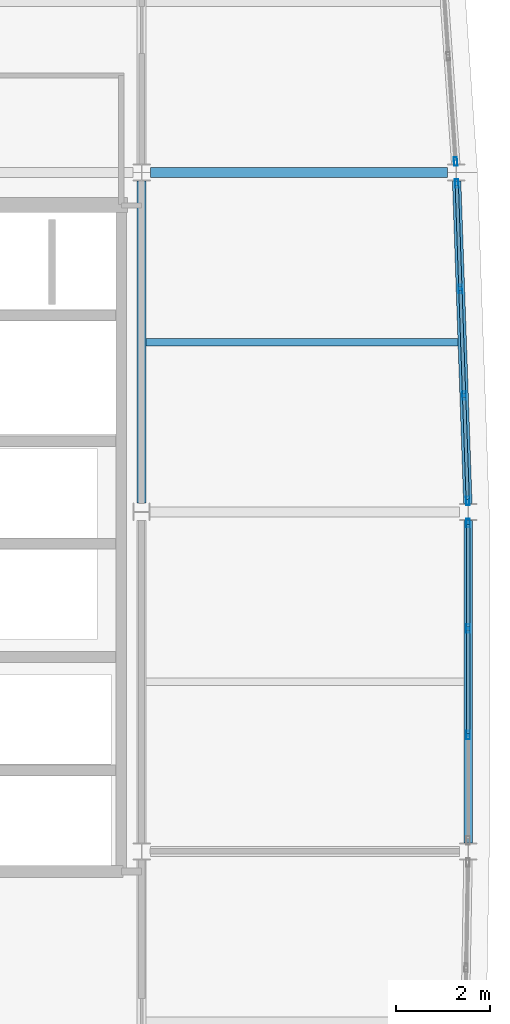
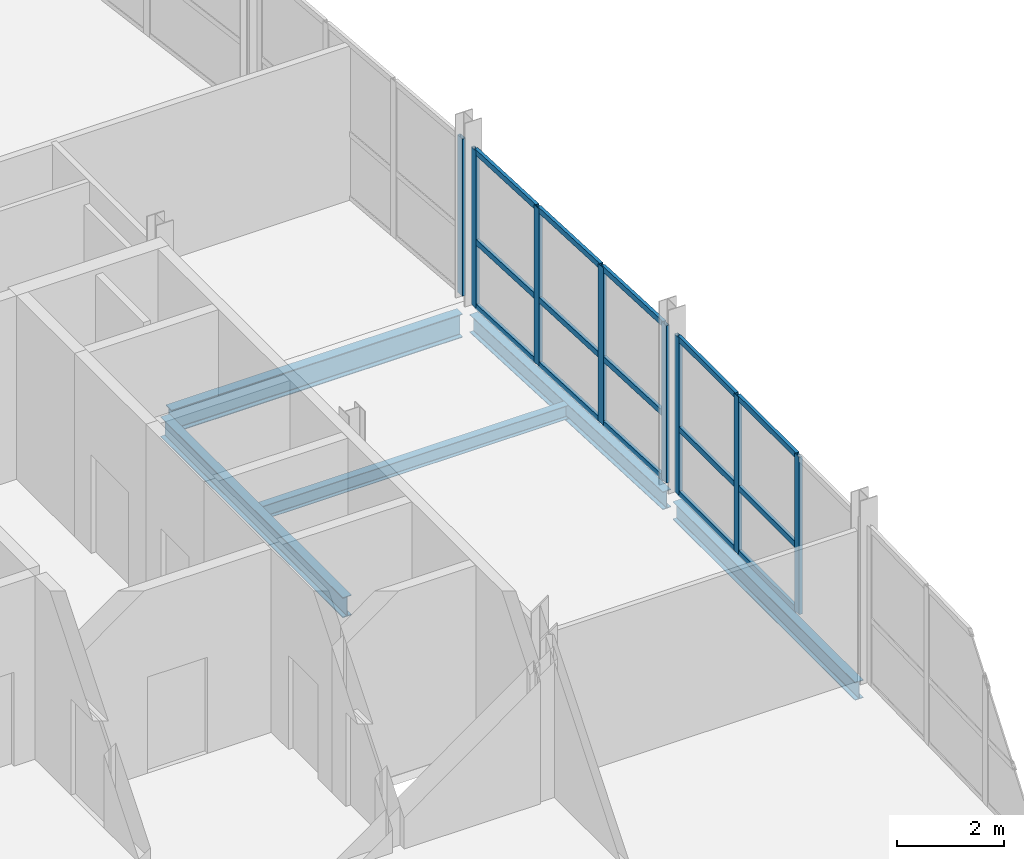
# One storey, part 4 of 16: 23 members, 5 beams, 3 elements without a shape of their own.
"""IFC4 building model written with IfcOpenShell, lengths in metres."""

from ifc_helpers import new_model, si_unit, direction, frame, origin, origin_2d, place, context, subcontext, project, spatial, hollow_rectangle, i_section, extrude, material, layer, layer_set, material_profile, profile_set, type_object, element, aggregate, save


model = new_model("IFC4")

# Units and contexts
model_context = context("Model", 3, precision=1e-05, world=origin(), true_north=direction((0.0, 1.0)))
body_context = subcontext(model_context, "Body", "Model", "MODEL_VIEW")
ifc_project = project(units=[si_unit("LENGTHUNIT", "METRE"), si_unit("AREAUNIT", "SQUARE_METRE"), si_unit("VOLUMEUNIT", "CUBIC_METRE"), si_unit("PLANEANGLEUNIT", "RADIAN"), si_unit("MASSUNIT", "GRAM", prefix="KILO")], contexts=[model_context])

# Site, building, storey
site_placement = place(None, origin())
site = spatial("IfcSite", under=ifc_project, at=site_placement, CompositionType="ELEMENT")
building_placement = place(site_placement, origin())
building = spatial("IfcBuilding", under=site, at=building_placement, Name="Quillay Park Conservatory", CompositionType="ELEMENT")
storey_placement = place(building_placement, frame((0.0, 0.0, 39.300048828125)))
storey = spatial("IfcBuildingStorey", under=building, at=storey_placement, Name="L09", CompositionType="ELEMENT", Elevation=39.300048828125)

# Beam
ifc_material_1 = material(Name="Steel ASTM A992 Grade 50", Category="steel")
ifc_material_profile_1 = material_profile(ifc_material_1, i_section(OverallWidth=0.166015625, OverallDepth=0.31298828125, WebThickness=0.006591796875, FlangeThickness=0.01123046875, FilletRadius=0.010009765625, at=origin_2d()), Name="W310x45")
ifc_profile_set_1 = profile_set([ifc_material_profile_1], Name="Steel ASTM A992 Grade 50")
beam_type_1 = type_object("IfcBeamType", Name="COMPOSITE FLOOR JOIST W310 X45", PredefinedType="JOIST", material=ifc_profile_set_1)
beam_1_placement = place(storey_placement, frame((19.845947265625, 96.0, -0.3564453125), z_axis=(1.0, 0.0, 0.0), x_axis=(0.0, 1.0, 0.0)))
element("IfcBeam", 1, at=beam_1_placement, inside=storey, type_object=beam_type_1, Name="L09 beam BM-J-0695", PredefinedType="JOIST", context=body_context, shape_type="SweptSolid", body=[
    extrude(i_section(OverallWidth=0.166015625, OverallDepth=0.31298828125, WebThickness=0.006591796875, FlangeThickness=0.01123046875, FilletRadius=0.010009765625, at=origin_2d()), origin(), (0.0, 0.0, 1.0), 6.614013671875),
])

# Curtain wall, members
ifc_material_2 = material(Name="Thermally Broken Anodised Aluminium 6063-T6", Category="aluminium")
ifc_layer = layer(ifc_material_2, 0.179931640625)
ifc_layer_set = layer_set([ifc_layer], Name="UNITISED CURTAIN WALL TOWER (Thermally Broken Anodised Aluminium 6063-T6)")
curtain_wall_type = type_object("IfcCurtainWallType", Name="UNITISED CURTAIN WALL TOWER", PredefinedType="USERDEFINED", material=ifc_layer_set)
curtain_wall_1_placement = place(storey_placement, origin())
curtain_wall_1 = element("IfcCurtainWall", 2, at=curtain_wall_1_placement, inside=storey, type_object=curtain_wall_type, Name="L09 Unitised Curtain Wall 089", ObjectType="UNITISED CURTAIN WALL", PredefinedType="USERDEFINED")
ifc_material_3 = material(Name="Thermally Broken Anodised Aluminium 6063-T6", Category="aluminium")
ifc_material_profile_2 = material_profile(ifc_material_3, hollow_rectangle(XDim=0.070068359375, YDim=0.179931640625, WallThickness=0.00390625, at=origin_2d()), Name="AL70x180x4")
ifc_profile_set_2 = profile_set([ifc_material_profile_2], Name="Thermally Broken Anodised Aluminium 6063-T6")
member_type_1 = type_object("IfcMemberType", Name="CURTAIN WALL MULLION 70 X180", PredefinedType="MULLION", material=ifc_profile_set_2)
member_1_placement = place(storey_placement, frame((26.675048828125, 92.1650390625, 0.0), z_axis=(0.0, 0.0, 1.0), x_axis=(1.0, 0.0, 0.0)))
member_1 = element("IfcMember", 3, at=member_1_placement, type_object=member_type_1, Name="CW-T1 mullion 1", PredefinedType="MULLION", context=body_context, shape_type="SweptSolid", body=[
    extrude(hollow_rectangle(XDim=0.070068359375, YDim=0.179931640625, WallThickness=0.00390625, at=origin_2d()), origin(), (0.0, 0.0, 1.0), 3.598876953125),
])
member_2_placement = place(storey_placement, frame((26.675048828125, 89.933349609375, 0.0), z_axis=(0.0, 0.0, 1.0), x_axis=(1.0, 0.0, 0.0)))
member_2 = element("IfcMember", 4, at=member_2_placement, type_object=member_type_1, Name="CW-T1 mullion 2", PredefinedType="MULLION", context=body_context, shape_type="SweptSolid", body=[
    extrude(hollow_rectangle(XDim=0.070068359375, YDim=0.179931640625, WallThickness=0.00390625, at=origin_2d()), origin(), (0.0, 0.0, 1.0), 3.598876953125),
])
member_3_placement = place(storey_placement, frame((26.675048828125, 87.666748046875, 0.0), z_axis=(0.0, 0.0, 1.0), x_axis=(1.0, 0.0, 0.0)))
member_3 = element("IfcMember", 5, at=member_3_placement, type_object=member_type_1, Name="CW-T1 mullion 3", PredefinedType="MULLION", context=body_context, shape_type="SweptSolid", body=[
    extrude(hollow_rectangle(XDim=0.070068359375, YDim=0.179931640625, WallThickness=0.00390625, at=origin_2d()), origin(), (0.0, 0.0, 1.0), 3.598876953125),
])

curtain_wall_2_placement = place(storey_placement, origin())
curtain_wall_2 = element("IfcCurtainWall", 6, at=curtain_wall_2_placement, inside=storey, type_object=curtain_wall_type, Name="L09 Unitised Curtain Wall 090", ObjectType="UNITISED CURTAIN WALL", PredefinedType="USERDEFINED")
member_4_placement = place(storey_placement, frame((26.43310546875, 99.365234375, 0.0), z_axis=(0.0, 0.0, 1.0), x_axis=(0.999397310446, 0.034713338537, 0.0)))
member_4 = element("IfcMember", 7, at=member_4_placement, type_object=member_type_1, Name="CW-T1 mullion 1", PredefinedType="MULLION", context=body_context, shape_type="SweptSolid", body=[
    extrude(hollow_rectangle(XDim=0.070068359375, YDim=0.179931640625, WallThickness=0.00390625, at=origin_2d()), origin(), (0.0, 0.0, 1.0), 3.598876953125),
])
member_5_placement = place(storey_placement, frame((26.5107421875, 97.13330078125, 0.0), z_axis=(0.0, 0.0, 1.0), x_axis=(0.999397310446, 0.034713338537, 0.0)))
member_5 = element("IfcMember", 8, at=member_5_placement, type_object=member_type_1, Name="CW-T1 mullion 2", PredefinedType="MULLION", context=body_context, shape_type="SweptSolid", body=[
    extrude(hollow_rectangle(XDim=0.070068359375, YDim=0.179931640625, WallThickness=0.00390625, at=origin_2d()), origin(), (0.0, 0.0, 1.0), 3.598876953125),
])
member_6_placement = place(storey_placement, frame((26.58935546875, 94.86669921875, 0.0), z_axis=(0.0, 0.0, 1.0), x_axis=(0.999397310446, 0.034713338537, 0.0)))
member_6 = element("IfcMember", 9, at=member_6_placement, type_object=member_type_1, Name="CW-T1 mullion 3", PredefinedType="MULLION", context=body_context, shape_type="SweptSolid", body=[
    extrude(hollow_rectangle(XDim=0.070068359375, YDim=0.179931640625, WallThickness=0.00390625, at=origin_2d()), origin(), (0.0, 0.0, 1.0), 3.598876953125),
])
member_7_placement = place(storey_placement, frame((26.6669921875, 92.634765625, 0.0), z_axis=(0.0, 0.0, 1.0), x_axis=(0.999397310446, 0.034713338537, 0.0)))
member_7 = element("IfcMember", 10, at=member_7_placement, type_object=member_type_1, Name="CW-T1 mullion 4", PredefinedType="MULLION", context=body_context, shape_type="SweptSolid", body=[
    extrude(hollow_rectangle(XDim=0.070068359375, YDim=0.179931640625, WallThickness=0.00390625, at=origin_2d()), origin(), (0.0, 0.0, 1.0), 3.598876953125),
])

# Curtain wall, member
curtain_wall_3_placement = place(storey_placement, origin())
curtain_wall_3 = element("IfcCurtainWall", 11, at=curtain_wall_3_placement, inside=storey, type_object=curtain_wall_type, Name="L09 Unitised Curtain Wall 091", ObjectType="UNITISED CURTAIN WALL", PredefinedType="USERDEFINED")
member_8_placement = place(storey_placement, frame((26.40869140625, 99.83447265625, 0.0), z_axis=(0.0, 0.0, 1.0), x_axis=(0.99759835015, 0.069264217159, 0.0)))
member_8 = element("IfcMember", 12, at=member_8_placement, type_object=member_type_1, Name="CW-T1 mullion 4", PredefinedType="MULLION", context=body_context, shape_type="SweptSolid", body=[
    extrude(hollow_rectangle(XDim=0.070068359375, YDim=0.179931640625, WallThickness=0.00390625, at=origin_2d()), origin(), (0.0, 0.0, 1.0), 3.598876953125),
])
aggregate(curtain_wall_3, [member_8])

# Member
ifc_material_4 = material(Name="Thermally Broken Anodised Aluminium 6063-T6", Category="aluminium")
ifc_material_profile_3 = material_profile(ifc_material_4, hollow_rectangle(XDim=0.070068359375, YDim=0.1298828125, WallThickness=0.003173828125, at=origin_2d()), Name="AL70x130x3.2")
ifc_profile_set_3 = profile_set([ifc_material_profile_3], Name="Thermally Broken Anodised Aluminium 6063-T6")
member_type_2 = type_object("IfcMemberType", Name="CURTAIN WALL TRANSOM 70 X130", PredefinedType="USERDEFINED", material=ifc_profile_set_3)
member_9_placement = place(storey_placement, frame((26.675048828125, 92.1298828125, 0.034912109375), z_axis=(0.0, -1.0, 0.0), x_axis=(1.0, 0.0, 0.0)))
member_9 = element("IfcMember", 13, at=member_9_placement, type_object=member_type_2, Name="CW-T1 transom 1.1", ObjectType="TRANSOM", PredefinedType="USERDEFINED", context=body_context, shape_type="SweptSolid", body=[
    extrude(hollow_rectangle(XDim=0.070068359375, YDim=0.1298828125, WallThickness=0.003173828125, at=origin_2d()), origin(), (0.0, 0.0, 1.0), 2.16162109375),
])

member_10_placement = place(storey_placement, frame((26.675048828125, 92.1298828125, 1.511474609375), z_axis=(0.0, -1.0, 0.0), x_axis=(1.0, 0.0, 0.0)))
member_10 = element("IfcMember", 14, at=member_10_placement, type_object=member_type_2, Name="CW-T1 transom 1.2", ObjectType="TRANSOM", PredefinedType="USERDEFINED", context=body_context, shape_type="SweptSolid", body=[
    extrude(hollow_rectangle(XDim=0.070068359375, YDim=0.1298828125, WallThickness=0.003173828125, at=origin_2d()), origin(), (0.0, 0.0, 1.0), 2.16162109375),
])

member_11_placement = place(storey_placement, frame((26.675048828125, 92.1298828125, 3.56396484375), z_axis=(0.0, -1.0, 0.0), x_axis=(1.0, 0.0, 0.0)))
member_11 = element("IfcMember", 15, at=member_11_placement, type_object=member_type_2, Name="CW-T1 transom 1.3", ObjectType="TRANSOM", PredefinedType="USERDEFINED", context=body_context, shape_type="SweptSolid", body=[
    extrude(hollow_rectangle(XDim=0.070068359375, YDim=0.1298828125, WallThickness=0.003173828125, at=origin_2d()), origin(), (0.0, 0.0, 1.0), 2.16162109375),
])

member_12_placement = place(storey_placement, frame((26.675048828125, 89.8984375, 0.034912109375), z_axis=(0.0, -1.0, 0.0), x_axis=(1.0, 0.0, 0.0)))
member_12 = element("IfcMember", 16, at=member_12_placement, type_object=member_type_2, Name="CW-T1 transom 2.1", ObjectType="TRANSOM", PredefinedType="USERDEFINED", context=body_context, shape_type="SweptSolid", body=[
    extrude(hollow_rectangle(XDim=0.070068359375, YDim=0.1298828125, WallThickness=0.003173828125, at=origin_2d()), origin(), (0.0, 0.0, 1.0), 2.19677734375),
])

member_13_placement = place(storey_placement, frame((26.675048828125, 89.8984375, 1.511474609375), z_axis=(0.0, -1.0, 0.0), x_axis=(1.0, 0.0, 0.0)))
member_13 = element("IfcMember", 17, at=member_13_placement, type_object=member_type_2, Name="CW-T1 transom 2.2", ObjectType="TRANSOM", PredefinedType="USERDEFINED", context=body_context, shape_type="SweptSolid", body=[
    extrude(hollow_rectangle(XDim=0.070068359375, YDim=0.1298828125, WallThickness=0.003173828125, at=origin_2d()), origin(), (0.0, 0.0, 1.0), 2.19677734375),
])

member_14_placement = place(storey_placement, frame((26.675048828125, 89.8984375, 3.56396484375), z_axis=(0.0, -1.0, 0.0), x_axis=(1.0, 0.0, 0.0)))
member_14 = element("IfcMember", 18, at=member_14_placement, type_object=member_type_2, Name="CW-T1 transom 2.3", ObjectType="TRANSOM", PredefinedType="USERDEFINED", context=body_context, shape_type="SweptSolid", body=[
    extrude(hollow_rectangle(XDim=0.070068359375, YDim=0.1298828125, WallThickness=0.003173828125, at=origin_2d()), origin(), (0.0, 0.0, 1.0), 2.19677734375),
])

aggregate(curtain_wall_1, [member_1, member_2, member_3, member_9, member_10, member_11, member_12, member_13, member_14])

member_15_placement = place(storey_placement, frame((26.434326171875, 99.330078125, 0.034912109375), z_axis=(0.034765508592, -0.999395496994, 0.0), x_axis=(0.999395496994, 0.034765508592, 0.0)))
member_15 = element("IfcMember", 19, at=member_15_placement, type_object=member_type_2, Name="CW-T1 transom 1.1", ObjectType="TRANSOM", PredefinedType="USERDEFINED", context=body_context, shape_type="SweptSolid", body=[
    extrude(hollow_rectangle(XDim=0.070068359375, YDim=0.1298828125, WallThickness=0.003173828125, at=origin_2d()), origin(), (0.0, 0.0, 1.0), 2.162841796875),
])

member_16_placement = place(storey_placement, frame((26.434326171875, 99.330078125, 1.511474609375), z_axis=(0.034765508592, -0.999395496994, 0.0), x_axis=(0.999395496994, 0.034765508592, 0.0)))
member_16 = element("IfcMember", 20, at=member_16_placement, type_object=member_type_2, Name="CW-T1 transom 1.2", ObjectType="TRANSOM", PredefinedType="USERDEFINED", context=body_context, shape_type="SweptSolid", body=[
    extrude(hollow_rectangle(XDim=0.070068359375, YDim=0.1298828125, WallThickness=0.003173828125, at=origin_2d()), origin(), (0.0, 0.0, 1.0), 2.162841796875),
])

member_17_placement = place(storey_placement, frame((26.434326171875, 99.330078125, 3.56396484375), z_axis=(0.034765508592, -0.999395496994, 0.0), x_axis=(0.999395496994, 0.034765508592, 0.0)))
member_17 = element("IfcMember", 21, at=member_17_placement, type_object=member_type_2, Name="CW-T1 transom 1.3", ObjectType="TRANSOM", PredefinedType="USERDEFINED", context=body_context, shape_type="SweptSolid", body=[
    extrude(hollow_rectangle(XDim=0.070068359375, YDim=0.1298828125, WallThickness=0.003173828125, at=origin_2d()), origin(), (0.0, 0.0, 1.0), 2.162841796875),
])

member_18_placement = place(storey_placement, frame((26.511962890625, 97.098388671875, 0.034912109375), z_axis=(0.034653546152, -0.999399385501, 0.0), x_axis=(0.999399385501, 0.034653546152, 0.0)))
member_18 = element("IfcMember", 22, at=member_18_placement, type_object=member_type_2, Name="CW-T1 transom 2.1", ObjectType="TRANSOM", PredefinedType="USERDEFINED", context=body_context, shape_type="SweptSolid", body=[
    extrude(hollow_rectangle(XDim=0.070068359375, YDim=0.1298828125, WallThickness=0.003173828125, at=origin_2d()), origin(), (0.0, 0.0, 1.0), 2.197998046875),
])

member_19_placement = place(storey_placement, frame((26.511962890625, 97.098388671875, 1.511474609375), z_axis=(0.034653546152, -0.999399385501, 0.0), x_axis=(0.999399385501, 0.034653546152, 0.0)))
member_19 = element("IfcMember", 23, at=member_19_placement, type_object=member_type_2, Name="CW-T1 transom 2.2", ObjectType="TRANSOM", PredefinedType="USERDEFINED", context=body_context, shape_type="SweptSolid", body=[
    extrude(hollow_rectangle(XDim=0.070068359375, YDim=0.1298828125, WallThickness=0.003173828125, at=origin_2d()), origin(), (0.0, 0.0, 1.0), 2.197998046875),
])

member_20_placement = place(storey_placement, frame((26.511962890625, 97.098388671875, 3.56396484375), z_axis=(0.034653546152, -0.999399385501, 0.0), x_axis=(0.999399385501, 0.034653546152, 0.0)))
member_20 = element("IfcMember", 24, at=member_20_placement, type_object=member_type_2, Name="CW-T1 transom 2.3", ObjectType="TRANSOM", PredefinedType="USERDEFINED", context=body_context, shape_type="SweptSolid", body=[
    extrude(hollow_rectangle(XDim=0.070068359375, YDim=0.1298828125, WallThickness=0.003173828125, at=origin_2d()), origin(), (0.0, 0.0, 1.0), 2.197998046875),
])

member_21_placement = place(storey_placement, frame((26.590576171875, 94.83154296875, 0.034912109375), z_axis=(0.034765508592, -0.999395496994, 0.0), x_axis=(0.999395496994, 0.034765508592, 0.0)))
member_21 = element("IfcMember", 25, at=member_21_placement, type_object=member_type_2, Name="CW-T1 transom 3.1", ObjectType="TRANSOM", PredefinedType="USERDEFINED", context=body_context, shape_type="SweptSolid", body=[
    extrude(hollow_rectangle(XDim=0.070068359375, YDim=0.1298828125, WallThickness=0.003173828125, at=origin_2d()), origin(), (0.0, 0.0, 1.0), 2.162841796875),
])

member_22_placement = place(storey_placement, frame((26.590576171875, 94.83154296875, 1.511474609375), z_axis=(0.034765508592, -0.999395496994, 0.0), x_axis=(0.999395496994, 0.034765508592, 0.0)))
member_22 = element("IfcMember", 26, at=member_22_placement, type_object=member_type_2, Name="CW-T1 transom 3.2", ObjectType="TRANSOM", PredefinedType="USERDEFINED", context=body_context, shape_type="SweptSolid", body=[
    extrude(hollow_rectangle(XDim=0.070068359375, YDim=0.1298828125, WallThickness=0.003173828125, at=origin_2d()), origin(), (0.0, 0.0, 1.0), 2.162841796875),
])

member_23_placement = place(storey_placement, frame((26.590576171875, 94.83154296875, 3.56396484375), z_axis=(0.034765508592, -0.999395496994, 0.0), x_axis=(0.999395496994, 0.034765508592, 0.0)))
member_23 = element("IfcMember", 27, at=member_23_placement, type_object=member_type_2, Name="CW-T1 transom 3.3", ObjectType="TRANSOM", PredefinedType="USERDEFINED", context=body_context, shape_type="SweptSolid", body=[
    extrude(hollow_rectangle(XDim=0.070068359375, YDim=0.1298828125, WallThickness=0.003173828125, at=origin_2d()), origin(), (0.0, 0.0, 1.0), 2.162841796875),
])

aggregate(curtain_wall_2, [member_4, member_5, member_6, member_7, member_15, member_16, member_17, member_18, member_19, member_20, member_21, member_22, member_23])

# Beams
ifc_material_5 = material(Name="Steel ASTM A992 Grade 50", Category="steel")
ifc_material_profile_4 = material_profile(ifc_material_5, i_section(OverallWidth=0.179931640625, OverallDepth=0.4130859375, WebThickness=0.009765625, FlangeThickness=0.01611328125, FilletRadius=0.011962890625, at=origin_2d()), Name="W410x74")
ifc_profile_set_4 = profile_set([ifc_material_profile_4], Name="Steel ASTM A992 Grade 50")
beam_type_2 = type_object("IfcBeamType", Name="PERIMETER SPANDREL BEAM W410 X74", PredefinedType="SPANDREL", material=ifc_profile_set_4)
beam_2_placement = place(storey_placement, frame((26.675048828125, 85.382080078125, -0.406494140625), z_axis=(0.0, 1.0, 0.0), x_axis=(-1.0, 0.0, 0.0)))
element("IfcBeam", 28, at=beam_2_placement, inside=storey, type_object=beam_type_2, Name="L09 beam BM-SPE-0685", PredefinedType="SPANDREL", context=body_context, shape_type="SweptSolid", body=[
    extrude(i_section(OverallWidth=0.179931640625, OverallDepth=0.4130859375, WebThickness=0.009765625, FlangeThickness=0.01611328125, FilletRadius=0.011962890625, at=origin_2d()), origin(), (0.0, 0.0, 1.0), 6.8359375),
])
beam_3_placement = place(storey_placement, frame((26.668701171875, 92.581787109375, -0.406494140625), z_axis=(-0.034690912886, 0.999398089133, 0.0), x_axis=(-0.999398089133, -0.034690912886, 0.0)))
element("IfcBeam", 29, at=beam_3_placement, inside=storey, type_object=beam_type_2, Name="L09 beam BM-SPE-0691", PredefinedType="SPANDREL", context=body_context, shape_type="SweptSolid", body=[
    extrude(i_section(OverallWidth=0.179931640625, OverallDepth=0.4130859375, WebThickness=0.009765625, FlangeThickness=0.01611328125, FilletRadius=0.011962890625, at=origin_2d()), origin(), (0.0, 0.0, 1.0), 6.840576171875),
])
ifc_material_6 = material(Name="Steel ASTM A992 Grade 50", Category="steel")
ifc_material_profile_5 = material_profile(ifc_material_6, i_section(OverallWidth=0.19189453125, OverallDepth=0.462890625, WebThickness=0.010498046875, FlangeThickness=0.017578125, FilletRadius=0.012939453125, at=origin_2d()), Name="W460x89")
ifc_profile_set_5 = profile_set([ifc_material_profile_5], Name="Steel ASTM A992 Grade 50")
beam_type_3 = type_object("IfcBeamType", Name="PRIMARY FLOOR GIRDER W460 X89", PredefinedType="BEAM", material=ifc_profile_set_5)
beam_4_placement = place(storey_placement, frame((19.75, 92.58544921875, -0.431640625), z_axis=(0.0, 1.0, 0.0), x_axis=(-1.0, 0.0, 0.0)))
element("IfcBeam", 30, at=beam_4_placement, inside=storey, type_object=beam_type_3, Name="L09 beam BM-GNS-0693", PredefinedType="BEAM", context=body_context, shape_type="SweptSolid", body=[
    extrude(i_section(OverallWidth=0.19189453125, OverallDepth=0.462890625, WebThickness=0.010498046875, FlangeThickness=0.017578125, FilletRadius=0.012939453125, at=origin_2d()), origin(), (0.0, 0.0, 1.0), 6.83251953125),
])
ifc_material_7 = material(Name="Steel ASTM A992 Grade 50", Category="steel")
ifc_material_profile_6 = material_profile(ifc_material_7, i_section(OverallWidth=0.2109375, OverallDepth=0.5390625, WebThickness=0.01171875, FlangeThickness=0.018798828125, FilletRadius=0.013916015625, at=origin_2d()), Name="W530x109")
ifc_profile_set_6 = profile_set([ifc_material_profile_6], Name="Steel ASTM A992 Grade 50")
beam_type_4 = type_object("IfcBeamType", Name="PRIMARY FLOOR GIRDER W530 X109", PredefinedType="BEAM", material=ifc_profile_set_6)
beam_5_placement = place(storey_placement, frame((19.935546875, 99.60009765625, -0.469482421875), z_axis=(1.0, 0.0, 0.0), x_axis=(0.0, 1.0, 0.0)))
element("IfcBeam", 31, at=beam_5_placement, inside=storey, type_object=beam_type_4, Name="L09 beam BM-G-0664", PredefinedType="BEAM", context=body_context, shape_type="SweptSolid", body=[
    extrude(i_section(OverallWidth=0.2109375, OverallDepth=0.5390625, WebThickness=0.01171875, FlangeThickness=0.018798828125, FilletRadius=0.013916015625, at=origin_2d()), origin(), (0.0, 0.0, 1.0), 6.303955078125),
])

save(model, "model.ifc")
